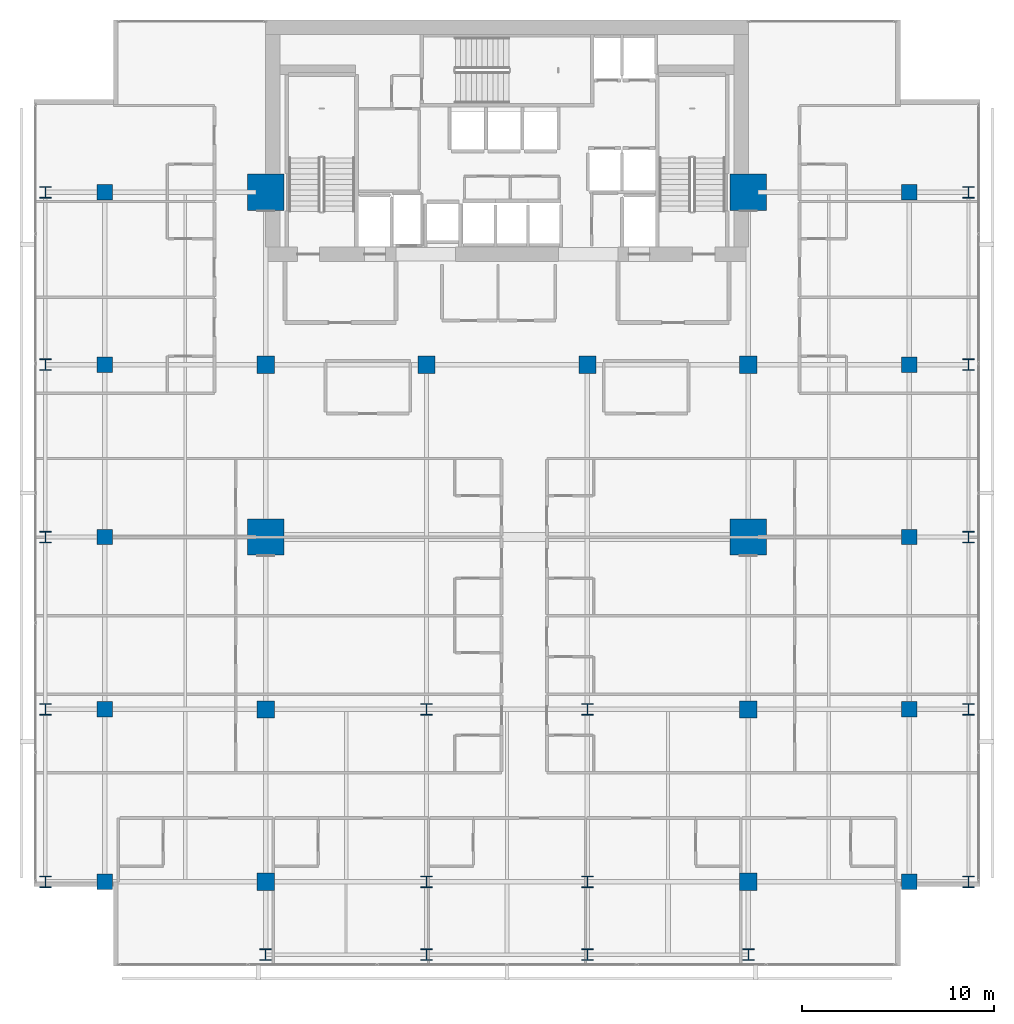
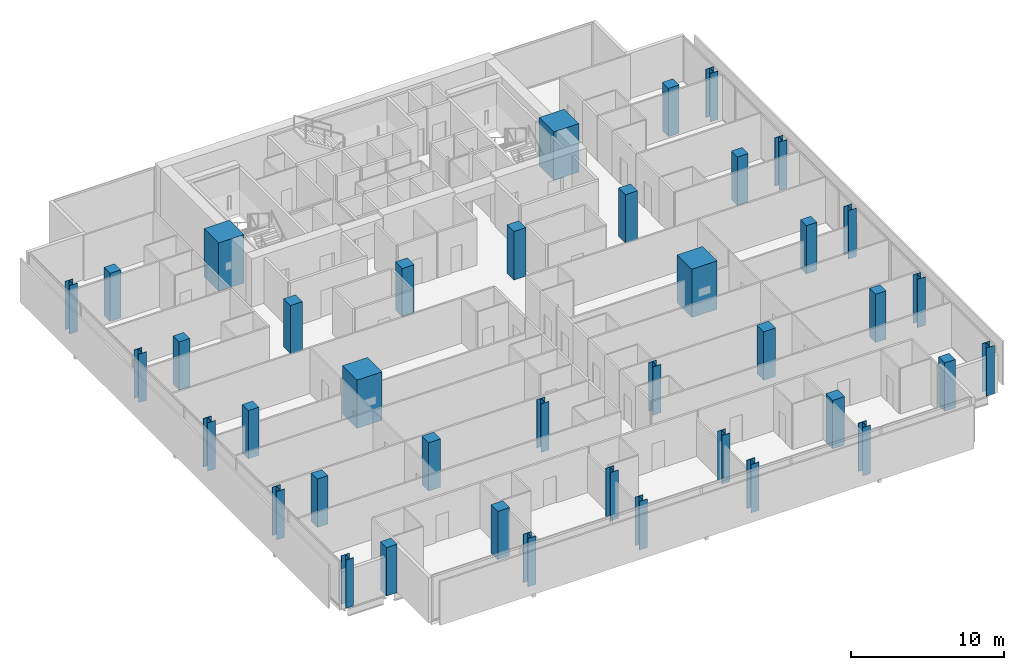
# One storey, part 1 of 34: 40 columns.
"""IFC4 building model written with IfcOpenShell, lengths in metres."""

import ifcopenshell
import ifcopenshell.guid

model = None  # the IFC model being written
_history = None  # IfcOwnerHistory: only IFC2X3 demands one
_inside = {}  # id of a spatial element -> (the spatial element, [elements in it])
_under = {}  # id of a project, library or spatial element -> (it, [spatial elements below it])
_declared = {}  # id of a project -> (the project, [libraries it declares])
_typed = {}  # id of a type object -> (the type object, [elements of that type])
_made_of = {}  # id of a material, layer set ... -> (it, [elements and type objects made of it])


def new_model(schema):
    """Start an empty IFC model of exactly this schema.

    Asked for "IFC4X3", IfcOpenShell would pick the latest addendum, in which some entities
    have other attributes; the version numbers below select the first issue.
    IFC2X3 requires an IfcOwnerHistory on every rooted entity: one is made here for all.
    """
    global model, _history
    if schema == "IFC4X3":
        model = ifcopenshell.file(schema_version=(4, 3, 0, 0))
    else:
        model = ifcopenshell.file(schema=schema)
    _inside.clear()
    _under.clear()
    _declared.clear()
    _typed.clear()
    _made_of.clear()
    _history = None
    if model.schema == "IFC2X3":
        org = make("IfcOrganization", Name="unknown")
        user = make(
            "IfcPersonAndOrganization",
            ThePerson=make("IfcPerson", FamilyName="unknown"),
            TheOrganization=org,
        )
        app = make(
            "IfcApplication",
            ApplicationDeveloper=org,
            Version="unknown",
            ApplicationFullName="unknown",
            ApplicationIdentifier="unknown",
        )
        _history = make(
            "IfcOwnerHistory",
            OwningUser=user,
            OwningApplication=app,
            ChangeAction="ADDED",
            CreationDate=0,
        )
    return model


def make(cls, **values):
    """One entity of the class cls with the attributes given. An attribute that is None is left unset."""
    return model.create_entity(
        cls, **{name: value for name, value in values.items() if value is not None}
    )


def rooted(cls, **values):
    """An entity with a GlobalId (a new one), such as an element, a storey or a relation."""
    return make(cls, GlobalId=ifcopenshell.guid.new(), OwnerHistory=_history, **values)


def si_unit(unit_type, name, prefix=None):
    """IfcSIUnit, for example si_unit("LENGTHUNIT", "METRE", prefix="MILLI")."""
    return make("IfcSIUnit", UnitType=unit_type, Prefix=prefix, Name=name)


def assignment(units):
    """IfcUnitAssignment: the units of a project."""
    return None if units is None else make("IfcUnitAssignment", Units=units)


def point(xyz):
    """IfcCartesianPoint."""
    return None if xyz is None else make("IfcCartesianPoint", Coordinates=xyz)


def direction(xyz):
    """IfcDirection."""
    return None if xyz is None else make("IfcDirection", DirectionRatios=xyz)


def frame(location, z_axis=None, x_axis=None):
    """IfcAxis2Placement3D, a coordinate frame: its origin and axes. An axis left out is left unset."""
    return make(
        "IfcAxis2Placement3D",
        Location=point(location),
        Axis=direction(z_axis),
        RefDirection=direction(x_axis),
    )


def frame_2d(location, x_axis=None):
    """IfcAxis2Placement2D, a coordinate frame in the plane: its origin and x axis."""
    return make(
        "IfcAxis2Placement2D", Location=point(location), RefDirection=direction(x_axis)
    )


def origin():
    """The frame at (0, 0, 0) with its axes left unset."""
    return frame((0.0, 0.0, 0.0))


def origin_2d():
    """The frame at (0, 0) in the plane with its x axis left unset."""
    return frame_2d((0.0, 0.0))


def place(relative_to, where):
    """IfcLocalPlacement: puts the frame where relative to a parent placement (None: the world)."""
    return make(
        "IfcLocalPlacement", PlacementRelTo=relative_to, RelativePlacement=where
    )


def context(
    kind, dimensions, precision=None, world=None, true_north=None, identifier=None
):
    """IfcGeometricRepresentationContext, for example the 3D "Model" context."""
    return make(
        "IfcGeometricRepresentationContext",
        ContextIdentifier=identifier,
        ContextType=kind,
        CoordinateSpaceDimension=dimensions,
        Precision=precision,
        WorldCoordinateSystem=world,
        TrueNorth=true_north,
    )


def subcontext(parent, identifier, kind, view, scale=None):
    """IfcGeometricRepresentationSubContext, for example "Body" below "Model"."""
    return make(
        "IfcGeometricRepresentationSubContext",
        ContextIdentifier=identifier,
        ContextType=kind,
        ParentContext=parent,
        TargetScale=scale,
        TargetView=view,
    )


def project(units=None, contexts=None):
    """IfcProject with its units and contexts."""
    return rooted(
        "IfcProject",
        Name="project",
        RepresentationContexts=contexts,
        UnitsInContext=assignment(units),
    )


def spatial(cls, under=None, at=None, **own):
    """A site, building, storey or space (cls), placed at a placement, below another one or the project."""
    s = rooted(cls, ObjectPlacement=at, **own)
    if under is not None:
        _under.setdefault(under.id(), (under, []))[1].append(s)
    return s


def profile(cls, at=None, kind="AREA", **sizes):
    """A parametric profile (cls). Its sizes go by their IFC names, for example OverallWidth=200.0."""
    return make(cls, ProfileType=kind, Position=at, **sizes)


def rectangle(**sizes):
    """IfcRectangleProfileDef."""
    return profile("IfcRectangleProfileDef", **sizes)


def i_section(**sizes):
    """IfcIShapeProfileDef."""
    return profile("IfcIShapeProfileDef", **sizes)


def extrude(swept, where, along, depth):
    """IfcExtrudedAreaSolid: the profile swept, set in the frame where, extruded along a direction by depth."""
    return make(
        "IfcExtrudedAreaSolid",
        SweptArea=swept,
        Position=where,
        ExtrudedDirection=direction(along),
        Depth=depth,
    )


def shape(context_of_items, identifier, shape_type, items):
    """IfcShapeRepresentation: the items that make up one representation, for example the "Body"."""
    return make(
        "IfcShapeRepresentation",
        ContextOfItems=context_of_items,
        RepresentationIdentifier=identifier,
        RepresentationType=shape_type,
        Items=items,
    )


def material(Name=None, Category=None):
    """IfcMaterial."""
    return make("IfcMaterial", Name=Name, Category=Category)


def material_profile(
    of_material, cross_section, Name=None, Category=None, Priority=None
):
    """IfcMaterialProfile: a cross section and its material."""
    return make(
        "IfcMaterialProfile",
        Name=Name,
        Material=of_material,
        Profile=cross_section,
        Priority=Priority,
        Category=Category,
    )


def profile_set(profiles, Name=None, composite=None):
    """IfcMaterialProfileSet."""
    return make(
        "IfcMaterialProfileSet",
        Name=Name,
        MaterialProfiles=profiles,
        CompositeProfile=composite,
    )


def made_of(thing, what):
    """Note that an element or type object is made of a material, layer set ...; save() writes the relation."""
    if what is not None:
        _made_of.setdefault(what.id(), (what, []))[1].append(thing)
    return thing


def type_object(cls, material=None, **own):
    """A type object (cls), such as IfcWallType, which elements share."""
    return made_of(rooted(cls, **own), material)


def element(
    cls,
    number,
    at=None,
    inside=None,
    cuts=None,
    type_object=None,
    material=None,
    context=None,
    identifier="Body",
    shape_type=None,
    held_by="IfcProductDefinitionShape",
    body=None,
    shapes=None,
    **own,
):
    """One element of the class cls, such as IfcWall. Its Tag is "e" and its number.

    at: its placement. inside: the storey or other place that contains it. cuts: it is an
    opening in that element (IfcRelVoidsElement). A single representation is given by context,
    identifier, shape_type and body (its items); several are given by shapes. held_by: the class
    of the entity that holds the representations. save() writes the other relations.
    """
    e = rooted(cls, Tag="e%d" % number, ObjectPlacement=at, **own)
    if body is not None:
        shapes = [shape(context, identifier, shape_type, body)]
    if shapes is not None:
        e.Representation = make(held_by, Representations=shapes)
    if inside is not None:
        _inside.setdefault(inside.id(), (inside, []))[1].append(e)
    if cuts is not None:
        rooted(
            "IfcRelVoidsElement", RelatingBuildingElement=cuts, RelatedOpeningElement=e
        )
    if type_object is not None:
        _typed.setdefault(type_object.id(), (type_object, []))[1].append(e)
    return made_of(e, material)


def aggregate(whole, parts):
    """IfcRelAggregates: a whole, such as a stair, and the parts it consists of."""
    return rooted("IfcRelAggregates", RelatingObject=whole, RelatedObjects=parts)


def save(model, path):
    """Write the relations noted so far, then the file.

    IfcRelAggregates (storeys below a building ...), IfcRelContainedInSpatialStructure (elements
    in a storey), IfcRelDefinesByType, IfcRelAssociatesMaterial and IfcRelDeclares: one each for
    every whole, place, type object, material and project.
    """
    for whole, parts in _under.values():
        aggregate(whole, parts)
    for where, things in _inside.values():
        rooted(
            "IfcRelContainedInSpatialStructure",
            RelatedElements=things,
            RelatingStructure=where,
        )
    for kind, things in _typed.values():
        rooted("IfcRelDefinesByType", RelatedObjects=things, RelatingType=kind)
    for what, things in _made_of.values():
        rooted("IfcRelAssociatesMaterial", RelatedObjects=things, RelatingMaterial=what)
    for by, libraries in _declared.values():
        rooted("IfcRelDeclares", RelatingContext=by, RelatedDefinitions=libraries)
    model.write(path)


model = new_model("IFC4")

# Units and contexts
model_context = context("Model", 3, precision=1e-05, world=origin(), true_north=direction((0.0, 1.0)))
body_context = subcontext(model_context, "Body", "Model", "MODEL_VIEW")
ifc_project = project(units=[si_unit("LENGTHUNIT", "METRE"), si_unit("AREAUNIT", "SQUARE_METRE"), si_unit("VOLUMEUNIT", "CUBIC_METRE"), si_unit("PLANEANGLEUNIT", "RADIAN"), si_unit("MASSUNIT", "GRAM", prefix="KILO")], contexts=[model_context])

# Site, building, storey
site_placement = place(None, origin())
site = spatial("IfcSite", under=ifc_project, at=site_placement, CompositionType="ELEMENT")
building_placement = place(site_placement, origin())
building = spatial("IfcBuilding", under=site, at=building_placement, Name="Maruvema Waterfront Hotel and Observation Tower", CompositionType="ELEMENT")
storey_placement = place(building_placement, frame((0.0, 0.0, 181.300048828125)))
storey = spatial("IfcBuildingStorey", under=building, at=storey_placement, Name="L44", CompositionType="ELEMENT", Elevation=181.300048828125)

# Columns
ifc_material_1 = material(Name="Concrete C80/95", Category="concrete")
ifc_material_profile_1 = material_profile(ifc_material_1, rectangle(XDim=1.89990234375, YDim=1.89990234375, at=origin_2d()), Name="MC1900x1900")
ifc_profile_set_1 = profile_set([ifc_material_profile_1], Name="Concrete C80/95")
column_type_1 = type_object("IfcColumnType", Name="Continuous Mega-Column MC1900x1900", PredefinedType="COLUMN", material=ifc_profile_set_1)
for number, where, z_axis, x_axis, name in (
    (1, (25.199951171875, 27.0, 0.0), (0.0, 0.0, 1.0), (1.0, 0.0, 0.0), "L44 Continuous Mega-Column MC-01"),
    (2, (50.39990234375, 27.0, 0.0), (0.0, 0.0, 1.0), (1.0, 0.0, 0.0), "L44 Continuous Mega-Column MC-02"),
    (3, (25.199951171875, 45.0, 0.0), (0.0, 0.0, 1.0), (1.0, 0.0, 0.0), "L44 Continuous Mega-Column MC-03"),
    (4, (50.39990234375, 45.0, 0.0), (0.0, 0.0, 1.0), (1.0, 0.0, 0.0), "L44 Continuous Mega-Column MC-04"),
):
    element("IfcColumn", number, at=place(storey_placement, frame(where, z_axis=z_axis, x_axis=x_axis)), inside=storey, type_object=column_type_1, Name=name, PredefinedType="COLUMN", context=body_context, shape_type="SweptSolid", body=[
        extrude(rectangle(XDim=1.89990234375, YDim=1.89990234375, at=origin_2d()), origin(), (0.0, 0.0, 1.0), 3.849853515625),
    ])
ifc_material_2 = material(Name="Concrete C60/75", Category="concrete")
ifc_material_profile_2 = material_profile(ifc_material_2, rectangle(XDim=0.800048828125, YDim=0.800048828125, at=origin_2d()), Name="RC800x800")
ifc_profile_set_2 = profile_set([ifc_material_profile_2], Name="Concrete C60/75")
column_type_2 = type_object("IfcColumnType", Name="Reinforced Concrete Column RC800x800", PredefinedType="COLUMN", material=ifc_profile_set_2)
for number, where, z_axis, x_axis, name in (
    (5, (16.800048828125, 9.0, 0.0), (0.0, 0.0, 1.0), (1.0, 0.0, 0.0), "L44 Column C-3Y9"),
    (6, (58.800048828125, 9.0, 0.0), (0.0, 0.0, 1.0), (1.0, 0.0, 0.0), "L44 Column C-8Y9"),
    (7, (16.800048828125, 18.0, 0.0), (0.0, 0.0, 1.0), (1.0, 0.0, 0.0), "L44 Column C-3Y18"),
    (8, (58.800048828125, 18.0, 0.0), (0.0, 0.0, 1.0), (1.0, 0.0, 0.0), "L44 Column C-8Y18"),
    (9, (16.800048828125, 27.0, 0.0), (0.0, 0.0, 1.0), (1.0, 0.0, 0.0), "L44 Column C-3Y27"),
    (10, (58.800048828125, 27.0, 0.0), (0.0, 0.0, 1.0), (1.0, 0.0, 0.0), "L44 Column C-8Y27"),
    (11, (16.800048828125, 36.0, 0.0), (0.0, 0.0, 1.0), (1.0, 0.0, 0.0), "L44 Column C-3Y36"),
    (12, (58.800048828125, 36.0, 0.0), (0.0, 0.0, 1.0), (1.0, 0.0, 0.0), "L44 Column C-8Y36"),
    (13, (16.800048828125, 45.0, 0.0), (0.0, 0.0, 1.0), (1.0, 0.0, 0.0), "L44 Column C-3Y45"),
    (14, (58.800048828125, 45.0, 0.0), (0.0, 0.0, 1.0), (1.0, 0.0, 0.0), "L44 Column C-8Y45"),
):
    element("IfcColumn", number, at=place(storey_placement, frame(where, z_axis=z_axis, x_axis=x_axis)), inside=storey, type_object=column_type_2, Name=name, PredefinedType="COLUMN", context=body_context, shape_type="SweptSolid", body=[
        extrude(rectangle(XDim=0.800048828125, YDim=0.800048828125, at=origin_2d()), origin(), (0.0, 0.0, 1.0), 3.849853515625),
    ])
ifc_material_3 = material(Name="Concrete C60/75", Category="concrete")
ifc_material_profile_3 = material_profile(ifc_material_3, rectangle(XDim=0.89990234375, YDim=0.89990234375, at=origin_2d()), Name="RC900x900")
ifc_profile_set_3 = profile_set([ifc_material_profile_3], Name="Concrete C60/75")
column_type_3 = type_object("IfcColumnType", Name="Reinforced Concrete Column RC900x900", PredefinedType="COLUMN", material=ifc_profile_set_3)
for number, where, z_axis, x_axis, name in (
    (15, (25.199951171875, 36.0, 0.0), (0.0, 0.0, 1.0), (1.0, 0.0, 0.0), "L44 Column C-4E"),
    (16, (33.60009765625, 36.0, 0.0), (0.0, 0.0, 1.0), (1.0, 0.0, 0.0), "L44 Column C-5E"),
    (17, (42.0, 36.0, 0.0), (0.0, 0.0, 1.0), (1.0, 0.0, 0.0), "L44 Column C-6E"),
    (18, (50.39990234375, 36.0, 0.0), (0.0, 0.0, 1.0), (1.0, 0.0, 0.0), "L44 Column C-7E"),
    (19, (25.199951171875, 18.0, 0.0), (0.0, 0.0, 1.0), (1.0, 0.0, 0.0), "L44 Column C-4C"),
    (20, (50.39990234375, 18.0, 0.0), (0.0, 0.0, 1.0), (1.0, 0.0, 0.0), "L44 Column C-7C"),
    (21, (25.199951171875, 9.0, 0.0), (0.0, 0.0, 1.0), (1.0, 0.0, 0.0), "L44 Column C-4B"),
    (22, (50.39990234375, 9.0, 0.0), (0.0, 0.0, 1.0), (1.0, 0.0, 0.0), "L44 Column C-7B"),
):
    element("IfcColumn", number, at=place(storey_placement, frame(where, z_axis=z_axis, x_axis=x_axis)), inside=storey, type_object=column_type_3, Name=name, PredefinedType="COLUMN", context=body_context, shape_type="SweptSolid", body=[
        extrude(rectangle(XDim=0.89990234375, YDim=0.89990234375, at=origin_2d()), origin(), (0.0, 0.0, 1.0), 3.849853515625),
    ])
ifc_material_4 = material(Name="Steel ABNT NBR 7007 AR 415 (ASTM A572 Grade 50)", Category="steel")
ifc_material_profile_4 = material_profile(ifc_material_4, i_section(OverallWidth=0.60009765625, OverallDepth=0.60009765625, WebThickness=0.02490234375, FlangeThickness=0.0380859375, at=origin_2d()), Name="CVS600x317")
ifc_profile_set_4 = profile_set([ifc_material_profile_4], Name="Steel ABNT NBR 7007 AR 415 (ASTM A572 Grade 50)")
column_type_4 = type_object("IfcColumnType", Name="Structural Steel Column CVS600x317", PredefinedType="COLUMN", material=ifc_profile_set_4)
for number, where, z_axis, x_axis, name in (
    (23, (33.60009765625, 9.0, 0.0), (0.0, 0.0, 1.0), (1.0, 0.0, 0.0), "L44 Column C-5B"),
    (24, (42.0, 9.0, 0.0), (0.0, 0.0, 1.0), (1.0, 0.0, 0.0), "L44 Column C-6B"),
    (25, (33.60009765625, 18.0, 0.0), (0.0, 0.0, 1.0), (1.0, 0.0, 0.0), "L44 Column C-5C"),
    (26, (42.0, 18.0, 0.0), (0.0, 0.0, 1.0), (1.0, 0.0, 0.0), "L44 Column C-6C"),
    (27, (13.699951171875, 9.0, 0.0), (0.0, 0.0, 1.0), (1.0, 0.0, 0.0), "L44 Column C-Z2W9"),
    (28, (61.89990234375, 9.0, 0.0), (0.0, 0.0, 1.0), (1.0, 0.0, 0.0), "L44 Column C-Z2E9"),
    (29, (13.699951171875, 18.0, 0.0), (0.0, 0.0, 1.0), (1.0, 0.0, 0.0), "L44 Column C-Z2W18"),
    (30, (61.89990234375, 18.0, 0.0), (0.0, 0.0, 1.0), (1.0, 0.0, 0.0), "L44 Column C-Z2E18"),
    (31, (13.699951171875, 27.0, 0.0), (0.0, 0.0, 1.0), (1.0, 0.0, 0.0), "L44 Column C-Z2W27"),
    (32, (61.89990234375, 27.0, 0.0), (0.0, 0.0, 1.0), (1.0, 0.0, 0.0), "L44 Column C-Z2E27"),
    (33, (13.699951171875, 36.0, 0.0), (0.0, 0.0, 1.0), (1.0, 0.0, 0.0), "L44 Column C-Z2W36"),
    (34, (61.89990234375, 36.0, 0.0), (0.0, 0.0, 1.0), (1.0, 0.0, 0.0), "L44 Column C-Z2E36"),
    (35, (13.699951171875, 45.0, 0.0), (0.0, 0.0, 1.0), (1.0, 0.0, 0.0), "L44 Column C-Z2W45"),
    (36, (61.89990234375, 45.0, 0.0), (0.0, 0.0, 1.0), (1.0, 0.0, 0.0), "L44 Column C-Z2E45"),
    (37, (25.199951171875, 5.199951171875, 0.0), (0.0, 0.0, 1.0), (1.0, 0.0, 0.0), "L44 Column C-Z2S4"),
    (38, (33.60009765625, 5.199951171875, 0.0), (0.0, 0.0, 1.0), (1.0, 0.0, 0.0), "L44 Column C-Z2S5"),
    (39, (42.0, 5.199951171875, 0.0), (0.0, 0.0, 1.0), (1.0, 0.0, 0.0), "L44 Column C-Z2S6"),
    (40, (50.39990234375, 5.199951171875, 0.0), (0.0, 0.0, 1.0), (1.0, 0.0, 0.0), "L44 Column C-Z2S7"),
):
    element("IfcColumn", number, at=place(storey_placement, frame(where, z_axis=z_axis, x_axis=x_axis)), inside=storey, type_object=column_type_4, Name=name, PredefinedType="COLUMN", context=body_context, shape_type="SweptSolid", body=[
        extrude(i_section(OverallWidth=0.60009765625, OverallDepth=0.60009765625, WebThickness=0.02490234375, FlangeThickness=0.0380859375, at=origin_2d()), origin(), (0.0, 0.0, 1.0), 3.849853515625),
    ])

save(model, "model.ifc")
